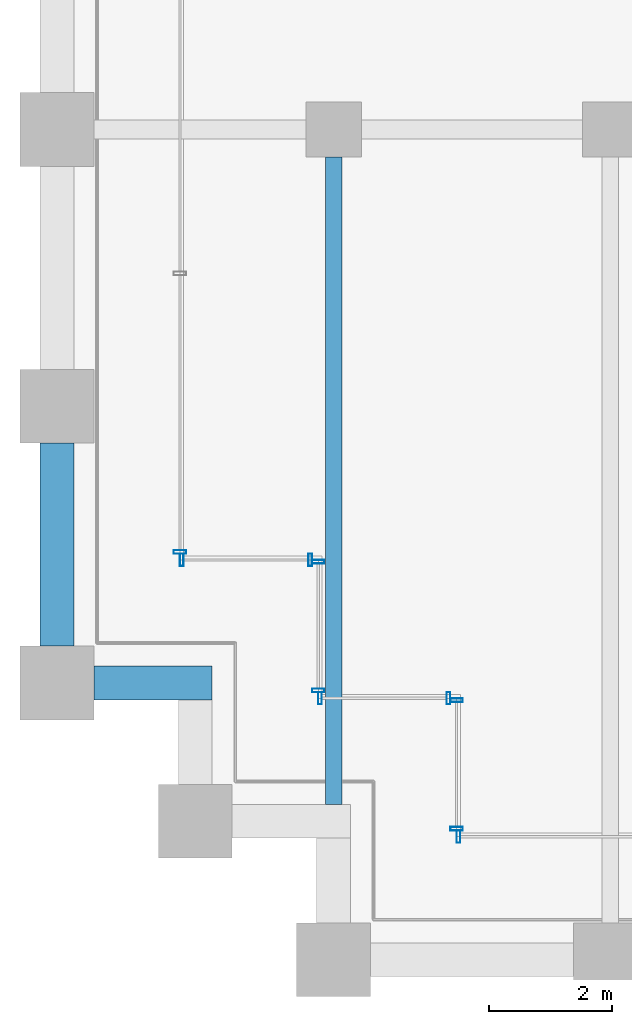
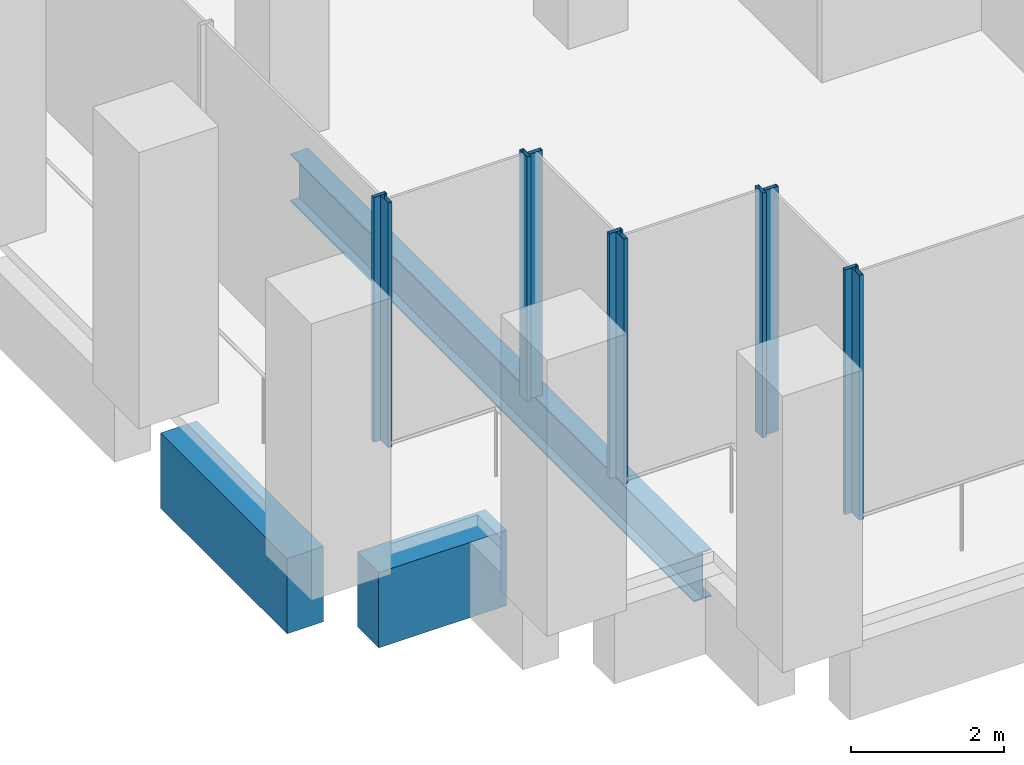
# One storey, part 2 of 36: 10 members, 3 beams, 6 elements without a shape of their own.
"""IFC4 building model written with IfcOpenShell, lengths in metres."""

from ifc_helpers import new_model, si_unit, direction, frame, origin, origin_2d, place, context, subcontext, project, spatial, rectangle, hollow_rectangle, i_section, extrude, material, material_profile, profile_set, type_object, element, aggregate, save


model = new_model("IFC4")

# Units and contexts
model_context = context("Model", 3, precision=1e-05, world=origin(), true_north=direction((0.0, 1.0)))
body_context = subcontext(model_context, "Body", "Model", "MODEL_VIEW")
ifc_project = project(units=[si_unit("LENGTHUNIT", "METRE"), si_unit("AREAUNIT", "SQUARE_METRE"), si_unit("VOLUMEUNIT", "CUBIC_METRE"), si_unit("PLANEANGLEUNIT", "RADIAN"), si_unit("MASSUNIT", "GRAM", prefix="KILO")], contexts=[model_context])

# Site, building, storey
site_placement = place(None, origin())
site = spatial("IfcSite", under=ifc_project, at=site_placement, CompositionType="ELEMENT")
building_placement = place(site_placement, origin())
building = spatial("IfcBuilding", under=site, at=building_placement, Name="Altepetl Exchange Towers", CompositionType="ELEMENT")
storey_placement = place(building_placement, frame((0.0, 0.0, 43.0)))
storey = spatial("IfcBuildingStorey", under=building, at=storey_placement, Name="L09", CompositionType="ELEMENT", Elevation=43.0)

# Beam
ifc_material_1 = material(Name="Steel S355", Category="steel")
ifc_material_profile_1 = material_profile(ifc_material_1, i_section(OverallWidth=0.26611328125, OverallDepth=0.758056640625, WebThickness=0.013916015625, FlangeThickness=0.019287109375, at=origin_2d()), Name="W30X108")
ifc_profile_set_1 = profile_set([ifc_material_profile_1], Name="Steel S355")
beam_type_1 = type_object("IfcBeamType", Name="Floor beam W30X108", PredefinedType="BEAM", material=ifc_profile_set_1)
beam_1_placement = place(storey_placement, frame((31.5, 29.52490234375, -0.553955078125), z_axis=(0.0, 1.0, 0.0), x_axis=(-1.0, 0.0, 0.0)))
element("IfcBeam", 1, at=beam_1_placement, inside=storey, type_object=beam_type_1, Name="bm:A:L09:012", PredefinedType="BEAM", context=body_context, shape_type="SweptSolid", body=[
    extrude(i_section(OverallWidth=0.26611328125, OverallDepth=0.758056640625, WebThickness=0.013916015625, FlangeThickness=0.019287109375, at=origin_2d()), origin(), (0.0, 0.0, 1.0), 10.525146484375),
])

# Curtain wall, member
ifc_material_2 = material(Name="Aluminium 6063-T6 glazing", Category="aluminium")
curtain_wall_type = type_object("IfcCurtainWallType", Name="Trading floor glazing system", PredefinedType="NOTDEFINED", material=ifc_material_2)
curtain_wall_1_placement = place(storey_placement, origin())
curtain_wall_1 = element("IfcCurtainWall", 2, at=curtain_wall_1_placement, inside=storey, type_object=curtain_wall_type, Name="CW2 run", PredefinedType="NOTDEFINED")
ifc_material_3 = material(Name="Aluminium 6063-T6", Category="aluminium")
ifc_material_profile_2 = material_profile(ifc_material_3, hollow_rectangle(XDim=0.06005859375, YDim=0.199951171875, WallThickness=0.0029296875, at=origin_2d()), Name="Mullion 60x200 aluminium")
ifc_profile_set_2 = profile_set([ifc_material_profile_2], Name="Aluminium 6063-T6")
member_type = type_object("IfcMemberType", Name="Mullion 60x200 aluminium", PredefinedType="MULLION", material=ifc_profile_set_2)
member_1_placement = place(storey_placement, frame((29.0, 33.6298828125, 0.0), z_axis=(0.0, 0.0, 1.0), x_axis=(0.0, -1.0, 0.0)))
member_1 = element("IfcMember", 3, at=member_1_placement, type_object=member_type, Name="MU2 mullion", PredefinedType="MULLION", context=body_context, shape_type="SweptSolid", body=[
    extrude(hollow_rectangle(XDim=0.06005859375, YDim=0.199951171875, WallThickness=0.0029296875, at=origin_2d()), origin(), (0.0, 0.0, 1.0), 3.89990234375),
])
aggregate(curtain_wall_1, [member_1])

# Curtain wall, members
curtain_wall_2_placement = place(storey_placement, origin())
curtain_wall_2 = element("IfcCurtainWall", 4, at=curtain_wall_2_placement, inside=storey, type_object=curtain_wall_type, Name="CW2 run", PredefinedType="NOTDEFINED")
member_2_placement = place(storey_placement, frame((29.030029296875, 33.5, 0.0)))
member_2 = element("IfcMember", 5, at=member_2_placement, type_object=member_type, Name="MU2 mullion", PredefinedType="MULLION", context=body_context, shape_type="SweptSolid", body=[
    extrude(hollow_rectangle(XDim=0.06005859375, YDim=0.199951171875, WallThickness=0.0029296875, at=origin_2d()), origin(), (0.0, 0.0, 1.0), 3.89990234375),
])
member_3_placement = place(storey_placement, frame((31.1201171875, 33.5, 0.0)))
member_3 = element("IfcMember", 6, at=member_3_placement, type_object=member_type, Name="MU2 mullion", PredefinedType="MULLION", context=body_context, shape_type="SweptSolid", body=[
    extrude(hollow_rectangle(XDim=0.06005859375, YDim=0.199951171875, WallThickness=0.0029296875, at=origin_2d()), origin(), (0.0, 0.0, 1.0), 3.89990234375),
])
aggregate(curtain_wall_2, [member_2, member_3])

curtain_wall_3_placement = place(storey_placement, origin())
curtain_wall_3 = element("IfcCurtainWall", 7, at=curtain_wall_3_placement, inside=storey, type_object=curtain_wall_type, Name="CW2 run", PredefinedType="NOTDEFINED")
member_4_placement = place(storey_placement, frame((31.25, 33.469970703125, 0.0), z_axis=(0.0, 0.0, 1.0), x_axis=(0.0, -1.0, 0.0)))
member_4 = element("IfcMember", 8, at=member_4_placement, type_object=member_type, Name="MU2 mullion", PredefinedType="MULLION", context=body_context, shape_type="SweptSolid", body=[
    extrude(hollow_rectangle(XDim=0.06005859375, YDim=0.199951171875, WallThickness=0.0029296875, at=origin_2d()), origin(), (0.0, 0.0, 1.0), 3.89990234375),
])
member_5_placement = place(storey_placement, frame((31.25, 31.3798828125, 0.0), z_axis=(0.0, 0.0, 1.0), x_axis=(0.0, -1.0, 0.0)))
member_5 = element("IfcMember", 9, at=member_5_placement, type_object=member_type, Name="MU2 mullion", PredefinedType="MULLION", context=body_context, shape_type="SweptSolid", body=[
    extrude(hollow_rectangle(XDim=0.06005859375, YDim=0.199951171875, WallThickness=0.0029296875, at=origin_2d()), origin(), (0.0, 0.0, 1.0), 3.89990234375),
])
aggregate(curtain_wall_3, [member_4, member_5])

curtain_wall_4_placement = place(storey_placement, origin())
curtain_wall_4 = element("IfcCurtainWall", 10, at=curtain_wall_4_placement, inside=storey, type_object=curtain_wall_type, Name="CW2 run", PredefinedType="NOTDEFINED")
member_6_placement = place(storey_placement, frame((31.280029296875, 31.25, 0.0)))
member_6 = element("IfcMember", 11, at=member_6_placement, type_object=member_type, Name="MU2 mullion", PredefinedType="MULLION", context=body_context, shape_type="SweptSolid", body=[
    extrude(hollow_rectangle(XDim=0.06005859375, YDim=0.199951171875, WallThickness=0.0029296875, at=origin_2d()), origin(), (0.0, 0.0, 1.0), 3.89990234375),
])
member_7_placement = place(storey_placement, frame((33.3701171875, 31.25, 0.0)))
member_7 = element("IfcMember", 12, at=member_7_placement, type_object=member_type, Name="MU2 mullion", PredefinedType="MULLION", context=body_context, shape_type="SweptSolid", body=[
    extrude(hollow_rectangle(XDim=0.06005859375, YDim=0.199951171875, WallThickness=0.0029296875, at=origin_2d()), origin(), (0.0, 0.0, 1.0), 3.89990234375),
])
aggregate(curtain_wall_4, [member_6, member_7])

curtain_wall_5_placement = place(storey_placement, origin())
curtain_wall_5 = element("IfcCurtainWall", 13, at=curtain_wall_5_placement, inside=storey, type_object=curtain_wall_type, Name="CW2 run", PredefinedType="NOTDEFINED")
member_8_placement = place(storey_placement, frame((33.5, 31.219970703125, 0.0), z_axis=(0.0, 0.0, 1.0), x_axis=(0.0, -1.0, 0.0)))
member_8 = element("IfcMember", 14, at=member_8_placement, type_object=member_type, Name="MU2 mullion", PredefinedType="MULLION", context=body_context, shape_type="SweptSolid", body=[
    extrude(hollow_rectangle(XDim=0.06005859375, YDim=0.199951171875, WallThickness=0.0029296875, at=origin_2d()), origin(), (0.0, 0.0, 1.0), 3.89990234375),
])
member_9_placement = place(storey_placement, frame((33.5, 29.1298828125, 0.0), z_axis=(0.0, 0.0, 1.0), x_axis=(0.0, -1.0, 0.0)))
member_9 = element("IfcMember", 15, at=member_9_placement, type_object=member_type, Name="MU2 mullion", PredefinedType="MULLION", context=body_context, shape_type="SweptSolid", body=[
    extrude(hollow_rectangle(XDim=0.06005859375, YDim=0.199951171875, WallThickness=0.0029296875, at=origin_2d()), origin(), (0.0, 0.0, 1.0), 3.89990234375),
])
aggregate(curtain_wall_5, [member_8, member_9])

# Curtain wall, member
curtain_wall_6_placement = place(storey_placement, origin())
curtain_wall_6 = element("IfcCurtainWall", 16, at=curtain_wall_6_placement, inside=storey, type_object=curtain_wall_type, Name="CW2 run", PredefinedType="NOTDEFINED")
member_10_placement = place(storey_placement, frame((33.530029296875, 29.0, 0.0)))
member_10 = element("IfcMember", 17, at=member_10_placement, type_object=member_type, Name="MU2 mullion", PredefinedType="MULLION", context=body_context, shape_type="SweptSolid", body=[
    extrude(hollow_rectangle(XDim=0.06005859375, YDim=0.199951171875, WallThickness=0.0029296875, at=origin_2d()), origin(), (0.0, 0.0, 1.0), 3.89990234375),
])
aggregate(curtain_wall_6, [member_10])

# Beams
ifc_material_4 = material(Name="Concrete C50/60 precast with cantera blanca facing", Category="concrete")
ifc_material_profile_3 = material_profile(ifc_material_4, rectangle(XDim=0.550048828125, YDim=1.199951171875, at=origin_2d()), Name="550 x 1200")
ifc_profile_set_3 = profile_set([ifc_material_profile_3], Name="Concrete C50/60 precast with cantera blanca facing")
beam_type_2 = type_object("IfcBeamType", Name="Spandrel beam 550x1200 cantera blanca", PredefinedType="SPANDREL", material=ifc_profile_set_3)
beam_2_placement = place(storey_placement, frame((27.0, 35.39990234375, -0.77490234375), z_axis=(0.0, -1.0, 0.0), x_axis=(1.0, 0.0, 0.0)))
element("IfcBeam", 18, at=beam_2_placement, inside=storey, type_object=beam_type_2, Name="sp:A:L09:043", PredefinedType="SPANDREL", context=body_context, shape_type="SweptSolid", body=[
    extrude(rectangle(XDim=0.550048828125, YDim=1.199951171875, at=origin_2d()), origin(), (0.0, 0.0, 1.0), 3.2998046875),
])
beam_3_placement = place(storey_placement, frame((27.60009765625, 31.5, -0.77490234375), z_axis=(1.0, 0.0, 0.0), x_axis=(0.0, 1.0, 0.0)))
element("IfcBeam", 19, at=beam_3_placement, inside=storey, type_object=beam_type_2, Name="sp:A:L09:044", PredefinedType="SPANDREL", context=body_context, shape_type="SweptSolid", body=[
    extrude(rectangle(XDim=0.550048828125, YDim=1.199951171875, at=origin_2d()), origin(), (0.0, 0.0, 1.0), 1.9248046875),
])

save(model, "model.ifc")
